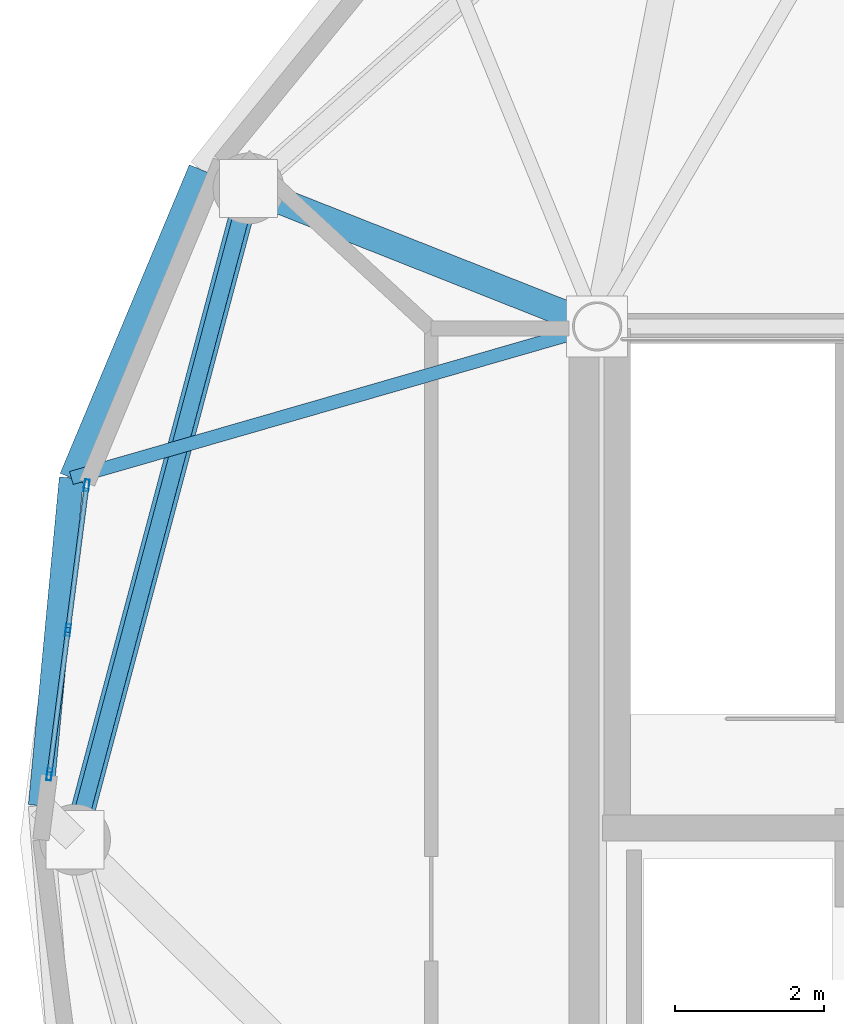
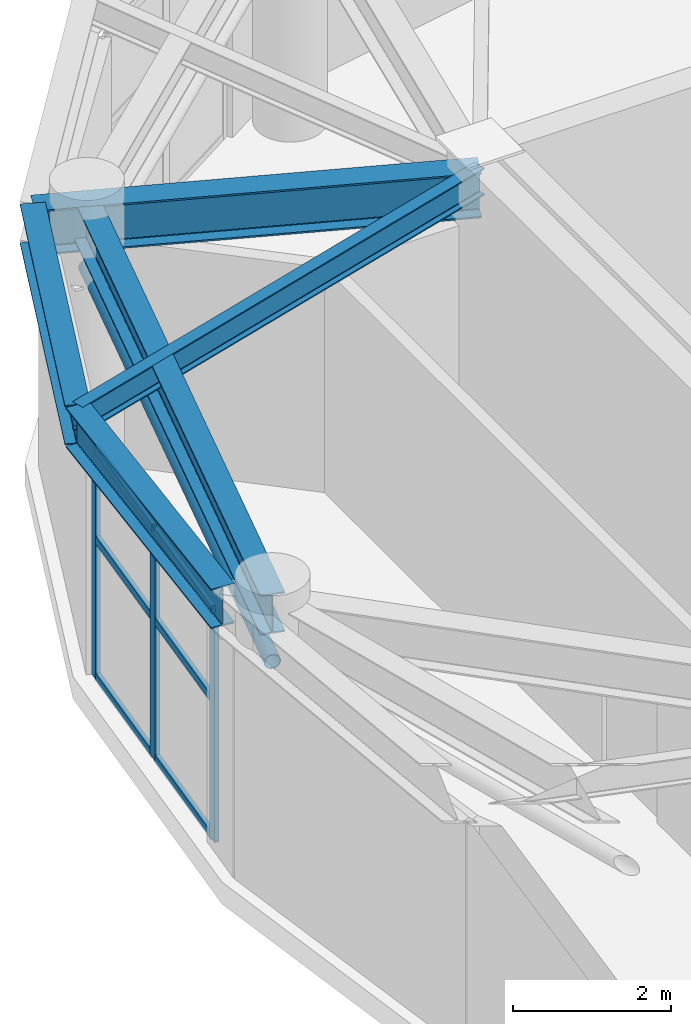
# One storey, part 7 of 26: 10 members, 5 beams, 1 element without a shape of its own.
"""IFC4 building model written with IfcOpenShell, lengths in metres."""

from ifc_helpers import new_model, si_unit, direction, frame, origin, origin_2d, place, context, subcontext, project, spatial, hollow_rectangle, hollow_circle, i_section, extrude, material, layer, layer_set, material_profile, profile_set, type_object, element, aggregate, save


model = new_model("IFC4")

# Units and contexts
model_context = context("Model", 3, precision=1e-05, world=origin(), true_north=direction((0.0, 1.0)))
body_context = subcontext(model_context, "Body", "Model", "MODEL_VIEW")
ifc_project = project(units=[si_unit("LENGTHUNIT", "METRE"), si_unit("AREAUNIT", "SQUARE_METRE"), si_unit("VOLUMEUNIT", "CUBIC_METRE"), si_unit("PLANEANGLEUNIT", "RADIAN"), si_unit("MASSUNIT", "GRAM", prefix="KILO")], contexts=[model_context])

# Site, building, storey
site_placement = place(None, origin())
site = spatial("IfcSite", under=ifc_project, at=site_placement, CompositionType="ELEMENT")
building_placement = place(site_placement, origin())
building = spatial("IfcBuilding", under=site, at=building_placement, Name="Cununo Teusaquillo Station Towers", CompositionType="ELEMENT")
storey_placement = place(building_placement, frame((0.0, 0.0, 240.330078125)))
storey = spatial("IfcBuildingStorey", under=building, at=storey_placement, Name="L76", CompositionType="ELEMENT", Elevation=240.330078125)

# Beams
ifc_material_1 = material(Name="Steel ASTM A572 Grade 50", Category="steel")
ifc_material_profile_1 = material_profile(ifc_material_1, i_section(OverallWidth=0.180908203125, OverallDepth=0.4169921875, WebThickness=0.010986328125, FlangeThickness=0.018310546875, FilletRadius=0.012939453125, at=origin_2d()), Name="W16X57")
ifc_profile_set_1 = profile_set([ifc_material_profile_1], Name="Steel ASTM A572 Grade 50")
beam_type_1 = type_object("IfcBeamType", Name="BM-JOIST-1", PredefinedType="JOIST", material=ifc_profile_set_1)
beam_1_placement = place(storey_placement, frame((11.324951171875, 31.3798828125, 3.991455078125), z_axis=(-0.960861603375, -0.277028841748, 0.0), x_axis=(0.277028841748, -0.960861603375, 0.0)))
element("IfcBeam", 1, at=beam_1_placement, inside=storey, type_object=beam_type_1, Name="L76 Tower A Radial Spandrel Joist V09", PredefinedType="JOIST", context=body_context, shape_type="SweptSolid", body=[
    extrude(i_section(OverallWidth=0.180908203125, OverallDepth=0.4169921875, WebThickness=0.010986328125, FlangeThickness=0.018310546875, FilletRadius=0.012939453125, at=origin_2d()), origin(), (0.0, 0.0, 1.0), 7.333251953125),
])
ifc_material_2 = material(Name="Steel ASTM A572 Grade 50", Category="steel")
ifc_material_profile_2 = material_profile(ifc_material_2, i_section(OverallWidth=0.35498046875, OverallDepth=0.696044921875, WebThickness=0.015380859375, FlangeThickness=0.02490234375, FilletRadius=0.01806640625, at=origin_2d()), Name="W27X146")
ifc_profile_set_2 = profile_set([ifc_material_profile_2], Name="Steel ASTM A572 Grade 50")
beam_type_2 = type_object("IfcBeamType", Name="BM-PLNT-G1", PredefinedType="BEAM", material=ifc_profile_set_2)
beam_2_placement = place(storey_placement, frame((11.324951171875, 31.3798828125, 3.851806640625), z_axis=(-0.929851670487, 0.36793460138, 0.0), x_axis=(-0.36793460138, -0.929851670487, 0.0)))
element("IfcBeam", 2, at=beam_2_placement, inside=storey, type_object=beam_type_2, Name="L76 Tower A Continuous Overhanging Radial Girder 05", PredefinedType="BEAM", context=body_context, shape_type="SweptSolid", body=[
    extrude(i_section(OverallWidth=0.35498046875, OverallDepth=0.696044921875, WebThickness=0.015380859375, FlangeThickness=0.02490234375, FilletRadius=0.01806640625, at=origin_2d()), origin(), (0.0, 0.0, 1.0), 5.71630859375),
])
ifc_material_3 = material(Name="Steel ASTM A572 Grade 50", Category="steel")
ifc_material_profile_3 = material_profile(ifc_material_3, i_section(OverallWidth=0.324951171875, OverallDepth=0.615966796875, WebThickness=0.013916015625, FlangeThickness=0.021484375, FilletRadius=0.01611328125, at=origin_2d()), Name="W24X117")
ifc_profile_set_3 = profile_set([ifc_material_profile_3], Name="Steel ASTM A572 Grade 50")
beam_type_3 = type_object("IfcBeamType", Name="BM-PLNT-G2", PredefinedType="BEAM", material=ifc_profile_set_3)
beam_3_placement = place(storey_placement, frame((6.652587890625, 33.228515625, 3.891845703125), z_axis=(-0.257363196347, -0.966314744359, 0.0), x_axis=(0.966314744359, -0.257363196347, 0.0)))
element("IfcBeam", 3, at=beam_3_placement, inside=storey, type_object=beam_type_3, Name="L76 Tower A Structural Column Ring Girder 05", PredefinedType="BEAM", context=body_context, shape_type="SweptSolid", body=[
    extrude(i_section(OverallWidth=0.324951171875, OverallDepth=0.615966796875, WebThickness=0.013916015625, FlangeThickness=0.021484375, FilletRadius=0.01611328125, at=origin_2d()), origin(), (0.0, 0.0, 1.0), 9.03271484375),
])
beam_4_placement = place(storey_placement, frame((6.009521484375, 33.483154296875, 3.891845703125), z_axis=(-0.386115454066, -0.922450462698, 0.0), x_axis=(0.922450462698, -0.386115454066, 0.0)))
element("IfcBeam", 4, at=beam_4_placement, inside=storey, type_object=beam_type_3, Name="L76 Tower A Spandrel Ring Beam 09", PredefinedType="BEAM", context=body_context, shape_type="SweptSolid", body=[
    extrude(i_section(OverallWidth=0.324951171875, OverallDepth=0.615966796875, WebThickness=0.013916015625, FlangeThickness=0.021484375, FilletRadius=0.01611328125, at=origin_2d()), origin(), (0.0, 0.0, 1.0), 4.482421875),
])
beam_5_placement = place(storey_placement, frame((4.27880859375, 29.348388671875, 3.891845703125), z_axis=(-0.093902932611, -0.995581357422, 0.0), x_axis=(0.995581357422, -0.093902932611, 0.0)))
element("IfcBeam", 5, at=beam_5_placement, inside=storey, type_object=beam_type_3, Name="L76 Tower A Spandrel Ring Beam 10", PredefinedType="BEAM", context=body_context, shape_type="SweptSolid", body=[
    extrude(i_section(OverallWidth=0.324951171875, OverallDepth=0.615966796875, WebThickness=0.013916015625, FlangeThickness=0.021484375, FilletRadius=0.01611328125, at=origin_2d()), origin(), (0.0, 0.0, 1.0), 4.412109375),
])

# Curtain wall, members
ifc_material_4 = material(Name="Ceramic-fritted dark low-E double glazing", Category="glass")
ifc_layer = layer(ifc_material_4, 0.179931640625)
ifc_layer_set = layer_set([ifc_layer], Name="Ceramic-fritted dark low-E double glazing")
curtain_wall_type = type_object("IfcCurtainWallType", Name="CW-SYS-08", PredefinedType="USERDEFINED", material=ifc_layer_set)
curtain_wall_placement = place(storey_placement, origin())
curtain_wall = element("IfcCurtainWall", 6, at=curtain_wall_placement, inside=storey, type_object=curtain_wall_type, Name="L76 Tower A Crown Drum Glazed Screen C09", ObjectType="FRITTED GLAZING", PredefinedType="USERDEFINED")
ifc_material_5 = material(Name="Anodised dark bronze aluminium EN AW-6063-T6", Category="aluminium")
ifc_material_profile_4 = material_profile(ifc_material_5, hollow_rectangle(XDim=0.06494140625, YDim=0.159912109375, WallThickness=0.00390625, at=origin_2d()), Name="CW-MULL-65x160")
ifc_profile_set_4 = profile_set([ifc_material_profile_4], Name="Anodised dark bronze aluminium EN AW-6063-T6")
member_type_1 = type_object("IfcMemberType", Name="CWM-160", PredefinedType="MULLION", material=ifc_profile_set_4)
member_1_placement = place(storey_placement, frame((3.983154296875, 25.375244140625, 0.0), z_axis=(0.0, 0.0, 1.0), x_axis=(-0.991741528461, 0.12825264413, 0.0)))
member_1 = element("IfcMember", 7, at=member_1_placement, type_object=member_type_1, Name="CW-08 mullion 1", PredefinedType="MULLION", context=body_context, shape_type="SweptSolid", body=[
    extrude(hollow_rectangle(XDim=0.06494140625, YDim=0.159912109375, WallThickness=0.00390625, at=origin_2d()), origin(), (0.0, 0.0, 1.0), 3.555908203125),
])
member_2_placement = place(storey_placement, frame((4.233642578125, 27.311767578125, 0.0), z_axis=(0.0, 0.0, 1.0), x_axis=(-0.991741528461, 0.12825264413, 0.0)))
member_2 = element("IfcMember", 8, at=member_2_placement, type_object=member_type_1, Name="CW-08 mullion 2", PredefinedType="MULLION", context=body_context, shape_type="SweptSolid", body=[
    extrude(hollow_rectangle(XDim=0.06494140625, YDim=0.159912109375, WallThickness=0.00390625, at=origin_2d()), origin(), (0.0, 0.0, 1.0), 3.555908203125),
])
member_3_placement = place(storey_placement, frame((4.484130859375, 29.248291015625, 0.0), z_axis=(0.0, 0.0, 1.0), x_axis=(-0.991741528461, 0.12825264413, 0.0)))
member_3 = element("IfcMember", 9, at=member_3_placement, type_object=member_type_1, Name="CW-08 mullion 3", PredefinedType="MULLION", context=body_context, shape_type="SweptSolid", body=[
    extrude(hollow_rectangle(XDim=0.06494140625, YDim=0.159912109375, WallThickness=0.00390625, at=origin_2d()), origin(), (0.0, 0.0, 1.0), 3.555908203125),
])
ifc_material_6 = material(Name="Anodised dark bronze aluminium EN AW-6063-T6", Category="aluminium")
ifc_material_profile_5 = material_profile(ifc_material_6, hollow_rectangle(XDim=0.06494140625, YDim=0.1201171875, WallThickness=0.00390625, at=origin_2d()), Name="CW-TRAN-65x120")
ifc_profile_set_5 = profile_set([ifc_material_profile_5], Name="Anodised dark bronze aluminium EN AW-6063-T6")
member_type_2 = type_object("IfcMemberType", Name="CWT-120", PredefinedType="USERDEFINED", material=ifc_profile_set_5)
member_4_placement = place(storey_placement, frame((3.9873046875, 25.407470703125, 0.032470703125), z_axis=(0.128299630595, 0.99173545101, 0.0), x_axis=(-0.99173545101, 0.128299630595, 0.0)))
member_4 = element("IfcMember", 10, at=member_4_placement, type_object=member_type_2, Name="CW-08 transom 1.1", ObjectType="TRANSOM", PredefinedType="USERDEFINED", context=body_context, shape_type="SweptSolid", body=[
    extrude(hollow_rectangle(XDim=0.06494140625, YDim=0.1201171875, WallThickness=0.00390625, at=origin_2d()), origin(), (0.0, 0.0, 1.0), 1.8876953125),
])
member_5_placement = place(storey_placement, frame((3.9873046875, 25.407470703125, 2.14990234375), z_axis=(0.128299630595, 0.99173545101, 0.0), x_axis=(-0.99173545101, 0.128299630595, 0.0)))
member_5 = element("IfcMember", 11, at=member_5_placement, type_object=member_type_2, Name="CW-08 transom 1.2", ObjectType="TRANSOM", PredefinedType="USERDEFINED", context=body_context, shape_type="SweptSolid", body=[
    extrude(hollow_rectangle(XDim=0.06494140625, YDim=0.1201171875, WallThickness=0.00390625, at=origin_2d()), origin(), (0.0, 0.0, 1.0), 1.8876953125),
])
member_6_placement = place(storey_placement, frame((3.9873046875, 25.407470703125, 3.5234375), z_axis=(0.128299630595, 0.99173545101, 0.0), x_axis=(-0.99173545101, 0.128299630595, 0.0)))
member_6 = element("IfcMember", 12, at=member_6_placement, type_object=member_type_2, Name="CW-08 transom 1.3", ObjectType="TRANSOM", PredefinedType="USERDEFINED", context=body_context, shape_type="SweptSolid", body=[
    extrude(hollow_rectangle(XDim=0.06494140625, YDim=0.1201171875, WallThickness=0.00390625, at=origin_2d()), origin(), (0.0, 0.0, 1.0), 1.8876953125),
])
member_7_placement = place(storey_placement, frame((4.23779296875, 27.343994140625, 0.032470703125), z_axis=(0.128299630595, 0.99173545101, 0.0), x_axis=(-0.99173545101, 0.128299630595, 0.0)))
member_7 = element("IfcMember", 13, at=member_7_placement, type_object=member_type_2, Name="CW-08 transom 2.1", ObjectType="TRANSOM", PredefinedType="USERDEFINED", context=body_context, shape_type="SweptSolid", body=[
    extrude(hollow_rectangle(XDim=0.06494140625, YDim=0.1201171875, WallThickness=0.00390625, at=origin_2d()), origin(), (0.0, 0.0, 1.0), 1.8876953125),
])
member_8_placement = place(storey_placement, frame((4.23779296875, 27.343994140625, 2.14990234375), z_axis=(0.128299630595, 0.99173545101, 0.0), x_axis=(-0.99173545101, 0.128299630595, 0.0)))
member_8 = element("IfcMember", 14, at=member_8_placement, type_object=member_type_2, Name="CW-08 transom 2.2", ObjectType="TRANSOM", PredefinedType="USERDEFINED", context=body_context, shape_type="SweptSolid", body=[
    extrude(hollow_rectangle(XDim=0.06494140625, YDim=0.1201171875, WallThickness=0.00390625, at=origin_2d()), origin(), (0.0, 0.0, 1.0), 1.8876953125),
])
member_9_placement = place(storey_placement, frame((4.23779296875, 27.343994140625, 3.5234375), z_axis=(0.128299630595, 0.99173545101, 0.0), x_axis=(-0.99173545101, 0.128299630595, 0.0)))
member_9 = element("IfcMember", 15, at=member_9_placement, type_object=member_type_2, Name="CW-08 transom 2.3", ObjectType="TRANSOM", PredefinedType="USERDEFINED", context=body_context, shape_type="SweptSolid", body=[
    extrude(hollow_rectangle(XDim=0.06494140625, YDim=0.1201171875, WallThickness=0.00390625, at=origin_2d()), origin(), (0.0, 0.0, 1.0), 1.8876953125),
])
aggregate(curtain_wall, [member_1, member_2, member_3, member_4, member_5, member_6, member_7, member_8, member_9])

# Member
ifc_material_7 = material(Name="Steel EN 10025-2 S355J2", Category="steel")
ifc_material_profile_6 = material_profile(ifc_material_7, hollow_circle(Radius=0.109619140625, WallThickness=0.010009765625, at=origin_2d()), Name="CHS 219x10")
ifc_profile_set_6 = profile_set([ifc_material_profile_6], Name="Steel EN 10025-2 S355J2")
member_type_3 = type_object("IfcMemberType", Name="MBR-DRUM-COL", PredefinedType="COLLAR", material=ifc_profile_set_6)
member_10_placement = place(storey_placement, frame((6.652587890625, 33.228515625, 3.14990234375), z_axis=(-0.257363196347, -0.966314744359, 0.0), x_axis=(0.966314744359, -0.257363196347, 0.0)))
element("IfcMember", 16, at=member_10_placement, inside=storey, type_object=member_type_3, Name="L76 Tower A Crown Drum Collar 05", PredefinedType="COLLAR", context=body_context, shape_type="SweptSolid", body=[
    extrude(hollow_circle(Radius=0.109619140625, WallThickness=0.010009765625, at=origin_2d()), origin(), (0.0, 0.0, 1.0), 9.03271484375),
])

save(model, "model.ifc")
